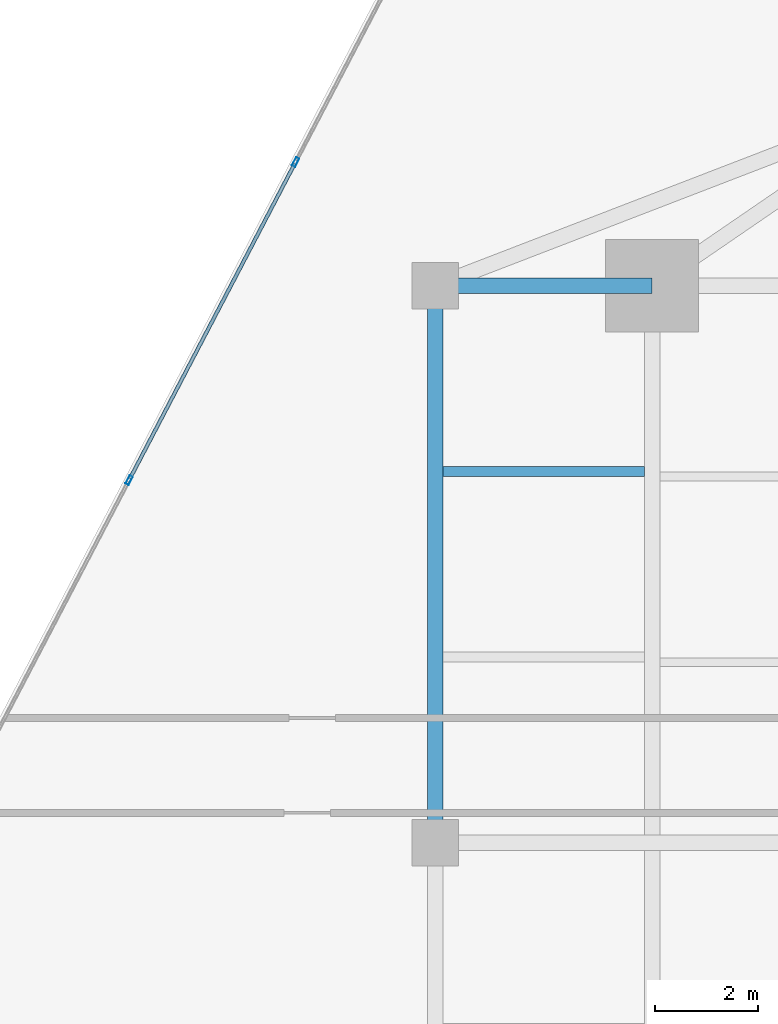
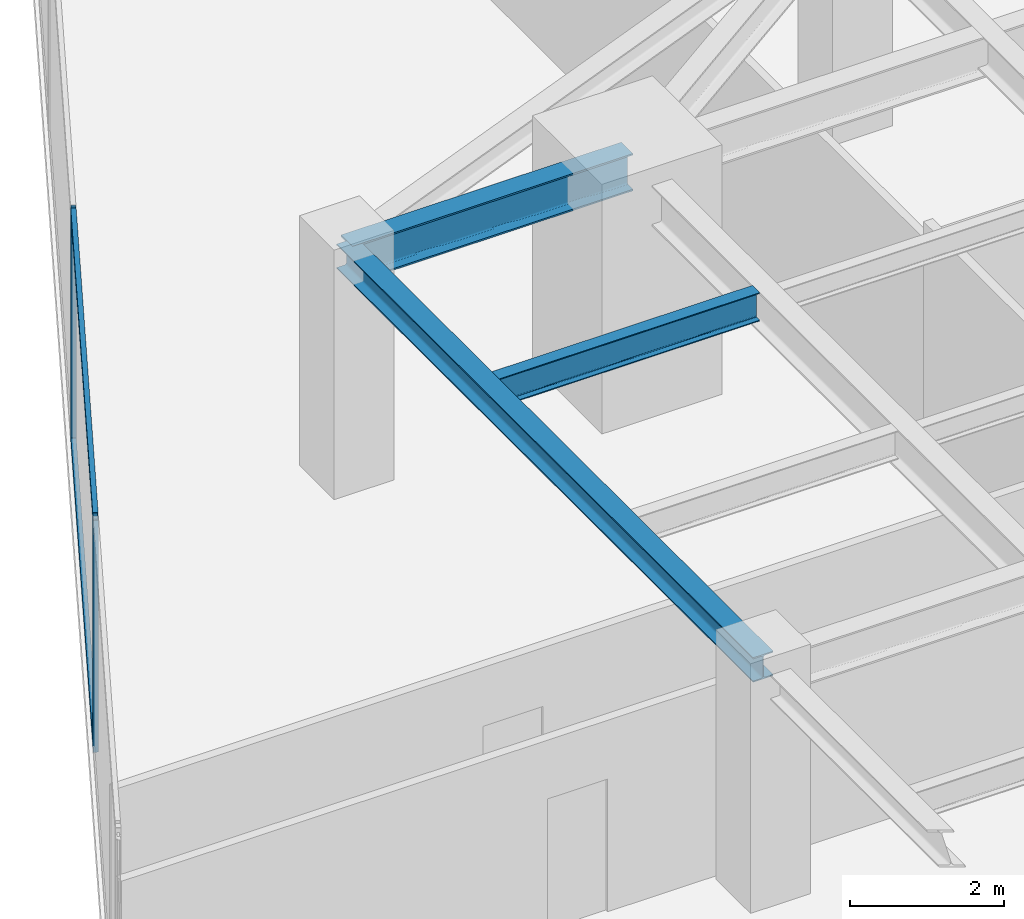
# One storey, part 13 of 27: 4 members, 3 beams, 1 element without a shape of its own.
"""IFC4 building model written with IfcOpenShell, lengths in metres."""

import ifcopenshell
import ifcopenshell.guid

model = None  # the IFC model being written
_history = None  # IfcOwnerHistory: only IFC2X3 demands one
_inside = {}  # id of a spatial element -> (the spatial element, [elements in it])
_under = {}  # id of a project, library or spatial element -> (it, [spatial elements below it])
_declared = {}  # id of a project -> (the project, [libraries it declares])
_typed = {}  # id of a type object -> (the type object, [elements of that type])
_made_of = {}  # id of a material, layer set ... -> (it, [elements and type objects made of it])


def new_model(schema):
    """Start an empty IFC model of exactly this schema.

    Asked for "IFC4X3", IfcOpenShell would pick the latest addendum, in which some entities
    have other attributes; the version numbers below select the first issue.
    IFC2X3 requires an IfcOwnerHistory on every rooted entity: one is made here for all.
    """
    global model, _history
    if schema == "IFC4X3":
        model = ifcopenshell.file(schema_version=(4, 3, 0, 0))
    else:
        model = ifcopenshell.file(schema=schema)
    _inside.clear()
    _under.clear()
    _declared.clear()
    _typed.clear()
    _made_of.clear()
    _history = None
    if model.schema == "IFC2X3":
        org = make("IfcOrganization", Name="unknown")
        user = make(
            "IfcPersonAndOrganization",
            ThePerson=make("IfcPerson", FamilyName="unknown"),
            TheOrganization=org,
        )
        app = make(
            "IfcApplication",
            ApplicationDeveloper=org,
            Version="unknown",
            ApplicationFullName="unknown",
            ApplicationIdentifier="unknown",
        )
        _history = make(
            "IfcOwnerHistory",
            OwningUser=user,
            OwningApplication=app,
            ChangeAction="ADDED",
            CreationDate=0,
        )
    return model


def make(cls, **values):
    """One entity of the class cls with the attributes given. An attribute that is None is left unset."""
    return model.create_entity(
        cls, **{name: value for name, value in values.items() if value is not None}
    )


def rooted(cls, **values):
    """An entity with a GlobalId (a new one), such as an element, a storey or a relation."""
    return make(cls, GlobalId=ifcopenshell.guid.new(), OwnerHistory=_history, **values)


def si_unit(unit_type, name, prefix=None):
    """IfcSIUnit, for example si_unit("LENGTHUNIT", "METRE", prefix="MILLI")."""
    return make("IfcSIUnit", UnitType=unit_type, Prefix=prefix, Name=name)


def assignment(units):
    """IfcUnitAssignment: the units of a project."""
    return None if units is None else make("IfcUnitAssignment", Units=units)


def point(xyz):
    """IfcCartesianPoint."""
    return None if xyz is None else make("IfcCartesianPoint", Coordinates=xyz)


def direction(xyz):
    """IfcDirection."""
    return None if xyz is None else make("IfcDirection", DirectionRatios=xyz)


def frame(location, z_axis=None, x_axis=None):
    """IfcAxis2Placement3D, a coordinate frame: its origin and axes. An axis left out is left unset."""
    return make(
        "IfcAxis2Placement3D",
        Location=point(location),
        Axis=direction(z_axis),
        RefDirection=direction(x_axis),
    )


def frame_2d(location, x_axis=None):
    """IfcAxis2Placement2D, a coordinate frame in the plane: its origin and x axis."""
    return make(
        "IfcAxis2Placement2D", Location=point(location), RefDirection=direction(x_axis)
    )


def origin():
    """The frame at (0, 0, 0) with its axes left unset."""
    return frame((0.0, 0.0, 0.0))


def origin_2d():
    """The frame at (0, 0) in the plane with its x axis left unset."""
    return frame_2d((0.0, 0.0))


def place(relative_to, where):
    """IfcLocalPlacement: puts the frame where relative to a parent placement (None: the world)."""
    return make(
        "IfcLocalPlacement", PlacementRelTo=relative_to, RelativePlacement=where
    )


def context(
    kind, dimensions, precision=None, world=None, true_north=None, identifier=None
):
    """IfcGeometricRepresentationContext, for example the 3D "Model" context."""
    return make(
        "IfcGeometricRepresentationContext",
        ContextIdentifier=identifier,
        ContextType=kind,
        CoordinateSpaceDimension=dimensions,
        Precision=precision,
        WorldCoordinateSystem=world,
        TrueNorth=true_north,
    )


def subcontext(parent, identifier, kind, view, scale=None):
    """IfcGeometricRepresentationSubContext, for example "Body" below "Model"."""
    return make(
        "IfcGeometricRepresentationSubContext",
        ContextIdentifier=identifier,
        ContextType=kind,
        ParentContext=parent,
        TargetScale=scale,
        TargetView=view,
    )


def project(units=None, contexts=None):
    """IfcProject with its units and contexts."""
    return rooted(
        "IfcProject",
        Name="project",
        RepresentationContexts=contexts,
        UnitsInContext=assignment(units),
    )


def spatial(cls, under=None, at=None, **own):
    """A site, building, storey or space (cls), placed at a placement, below another one or the project."""
    s = rooted(cls, ObjectPlacement=at, **own)
    if under is not None:
        _under.setdefault(under.id(), (under, []))[1].append(s)
    return s


def profile(cls, at=None, kind="AREA", **sizes):
    """A parametric profile (cls). Its sizes go by their IFC names, for example OverallWidth=200.0."""
    return make(cls, ProfileType=kind, Position=at, **sizes)


def hollow_rectangle(**sizes):
    """IfcRectangleHollowProfileDef."""
    return profile("IfcRectangleHollowProfileDef", **sizes)


def i_section(**sizes):
    """IfcIShapeProfileDef."""
    return profile("IfcIShapeProfileDef", **sizes)


def extrude(swept, where, along, depth):
    """IfcExtrudedAreaSolid: the profile swept, set in the frame where, extruded along a direction by depth."""
    return make(
        "IfcExtrudedAreaSolid",
        SweptArea=swept,
        Position=where,
        ExtrudedDirection=direction(along),
        Depth=depth,
    )


def shape(context_of_items, identifier, shape_type, items):
    """IfcShapeRepresentation: the items that make up one representation, for example the "Body"."""
    return make(
        "IfcShapeRepresentation",
        ContextOfItems=context_of_items,
        RepresentationIdentifier=identifier,
        RepresentationType=shape_type,
        Items=items,
    )


def source(mapping_origin, context_of_items, identifier, shape_type, items):
    """IfcRepresentationMap: a shape defined once, which mapped items show again and again."""
    return make(
        "IfcRepresentationMap",
        MappingOrigin=mapping_origin,
        MappedRepresentation=shape(context_of_items, identifier, shape_type, items),
    )


def transform(
    local_origin,
    x_axis=None,
    y_axis=None,
    z_axis=None,
    scale=None,
    scale2=None,
    scale3=None,
    uniform=True,
):
    """IfcCartesianTransformationOperator3D, or its non-uniform kind. x_axis, y_axis, z_axis: its Axis1, 2, 3."""
    if uniform:
        return make(
            "IfcCartesianTransformationOperator3D",
            Axis1=direction(x_axis),
            Axis2=direction(y_axis),
            LocalOrigin=point(local_origin),
            Scale=scale,
            Axis3=direction(z_axis),
        )
    return make(
        "IfcCartesianTransformationOperator3DnonUniform",
        Axis1=direction(x_axis),
        Axis2=direction(y_axis),
        LocalOrigin=point(local_origin),
        Scale=scale,
        Axis3=direction(z_axis),
        Scale2=scale2,
        Scale3=scale3,
    )


def mapped(mapping_source, mapping_target):
    """IfcMappedItem: shows the shape of a source again, moved by a transform."""
    return make(
        "IfcMappedItem", MappingSource=mapping_source, MappingTarget=mapping_target
    )


def material(Name=None, Category=None):
    """IfcMaterial."""
    return make("IfcMaterial", Name=Name, Category=Category)


def material_profile(
    of_material, cross_section, Name=None, Category=None, Priority=None
):
    """IfcMaterialProfile: a cross section and its material."""
    return make(
        "IfcMaterialProfile",
        Name=Name,
        Material=of_material,
        Profile=cross_section,
        Priority=Priority,
        Category=Category,
    )


def profile_set(profiles, Name=None, composite=None):
    """IfcMaterialProfileSet."""
    return make(
        "IfcMaterialProfileSet",
        Name=Name,
        MaterialProfiles=profiles,
        CompositeProfile=composite,
    )


def made_of(thing, what):
    """Note that an element or type object is made of a material, layer set ...; save() writes the relation."""
    if what is not None:
        _made_of.setdefault(what.id(), (what, []))[1].append(thing)
    return thing


def type_object(cls, material=None, **own):
    """A type object (cls), such as IfcWallType, which elements share."""
    return made_of(rooted(cls, **own), material)


def type_shapes(of_type, sources):
    """Give a type object the sources (RepresentationMaps) that its elements show as mapped items."""
    of_type.RepresentationMaps = sources


def element(
    cls,
    number,
    at=None,
    inside=None,
    cuts=None,
    type_object=None,
    material=None,
    context=None,
    identifier="Body",
    shape_type=None,
    held_by="IfcProductDefinitionShape",
    body=None,
    shapes=None,
    **own,
):
    """One element of the class cls, such as IfcWall. Its Tag is "e" and its number.

    at: its placement. inside: the storey or other place that contains it. cuts: it is an
    opening in that element (IfcRelVoidsElement). A single representation is given by context,
    identifier, shape_type and body (its items); several are given by shapes. held_by: the class
    of the entity that holds the representations. save() writes the other relations.
    """
    e = rooted(cls, Tag="e%d" % number, ObjectPlacement=at, **own)
    if body is not None:
        shapes = [shape(context, identifier, shape_type, body)]
    if shapes is not None:
        e.Representation = make(held_by, Representations=shapes)
    if inside is not None:
        _inside.setdefault(inside.id(), (inside, []))[1].append(e)
    if cuts is not None:
        rooted(
            "IfcRelVoidsElement", RelatingBuildingElement=cuts, RelatedOpeningElement=e
        )
    if type_object is not None:
        _typed.setdefault(type_object.id(), (type_object, []))[1].append(e)
    return made_of(e, material)


def aggregate(whole, parts):
    """IfcRelAggregates: a whole, such as a stair, and the parts it consists of."""
    return rooted("IfcRelAggregates", RelatingObject=whole, RelatedObjects=parts)


def save(model, path):
    """Write the relations noted so far, then the file.

    IfcRelAggregates (storeys below a building ...), IfcRelContainedInSpatialStructure (elements
    in a storey), IfcRelDefinesByType, IfcRelAssociatesMaterial and IfcRelDeclares: one each for
    every whole, place, type object, material and project.
    """
    for whole, parts in _under.values():
        aggregate(whole, parts)
    for where, things in _inside.values():
        rooted(
            "IfcRelContainedInSpatialStructure",
            RelatedElements=things,
            RelatingStructure=where,
        )
    for kind, things in _typed.values():
        rooted("IfcRelDefinesByType", RelatedObjects=things, RelatingType=kind)
    for what, things in _made_of.values():
        rooted("IfcRelAssociatesMaterial", RelatedObjects=things, RelatingMaterial=what)
    for by, libraries in _declared.values():
        rooted("IfcRelDeclares", RelatingContext=by, RelatedDefinitions=libraries)
    model.write(path)


model = new_model("IFC4")

# Units and contexts
model_context = context("Model", 3, precision=1e-05, world=origin(), true_north=direction((0.0, 1.0)))
body_context = subcontext(model_context, "Body", "Model", "MODEL_VIEW")
ifc_project = project(units=[si_unit("LENGTHUNIT", "METRE"), si_unit("AREAUNIT", "SQUARE_METRE"), si_unit("VOLUMEUNIT", "CUBIC_METRE"), si_unit("PLANEANGLEUNIT", "RADIAN"), si_unit("MASSUNIT", "GRAM", prefix="KILO")], contexts=[model_context])

# Site, building, storey
site_placement = place(None, origin())
site = spatial("IfcSite", under=ifc_project, at=site_placement, CompositionType="ELEMENT")
building_placement = place(site_placement, origin())
building = spatial("IfcBuilding", under=site, at=building_placement, Name="Krantzveldt Concourse Tower", CompositionType="ELEMENT")
storey_placement = place(building_placement, frame((0.0, 0.0, 158.050048828125)))
storey = spatial("IfcBuildingStorey", under=building, at=storey_placement, Name="L38", CompositionType="ELEMENT", Elevation=158.050048828125)

# Beams
ifc_material_1 = material(Name="Steel S355JR", Category="steel")
ifc_material_profile_1 = material_profile(ifc_material_1, i_section(OverallWidth=0.300048828125, OverallDepth=0.590087890625, WebThickness=0.012939453125, FlangeThickness=0.02490234375, FilletRadius=0.027099609375, at=origin_2d()), Name="Steel S355JR", Category="steel")
ifc_profile_set_1 = profile_set([ifc_material_profile_1], Name="Steel S355JR - HEA 600")
beam_type_1 = type_object("IfcBeamType", Name="BM-B-HEA600", PredefinedType="BEAM", material=ifc_profile_set_1)
shared_shape_1 = source(origin(), body_context, "Body", "SweptSolid", [
    extrude(i_section(OverallWidth=0.300048828125, OverallDepth=0.590087890625, WebThickness=0.012939453125, FlangeThickness=0.02490234375, FilletRadius=0.027099609375, at=origin_2d()), origin(), (0.0, 0.0, 1.0), 4.199951171875),
])
type_shapes(beam_type_1, [shared_shape_1])
beam_1_placement = place(storey_placement, frame((21.0, 37.5, 3.375), z_axis=(1.0, 0.0, 0.0), x_axis=(0.0, 1.0, 0.0)))
element("IfcBeam", 1, at=beam_1_placement, inside=storey, type_object=beam_type_1, Name="L38 Tower Girder BR-RL3", PredefinedType="BEAM", context=body_context, shape_type="MappedRepresentation", body=[
    mapped(shared_shape_1, transform((0.0, 0.0, 0.0), x_axis=(1.0, 0.0, 0.0), y_axis=(0.0, 1.0, 0.0), z_axis=(0.0, 0.0, 1.0), scale=1.0)),
])
ifc_material_profile_2 = material_profile(ifc_material_1, i_section(OverallWidth=0.300048828125, OverallDepth=0.389892578125, WebThickness=0.010986328125, FlangeThickness=0.01904296875, FilletRadius=0.027099609375, at=origin_2d()), Name="Steel S355JR", Category="steel")
ifc_profile_set_2 = profile_set([ifc_material_profile_2], Name="Steel S355JR - HEA 400")
beam_type_2 = type_object("IfcBeamType", Name="BM-SP-HEA400", PredefinedType="SPANDREL", material=ifc_profile_set_2)
shared_shape_2 = source(origin(), body_context, "Body", "SweptSolid", [
    extrude(i_section(OverallWidth=0.300048828125, OverallDepth=0.389892578125, WebThickness=0.010986328125, FlangeThickness=0.01904296875, FilletRadius=0.027099609375, at=origin_2d()), origin(), (0.0, 0.0, 1.0), 10.800048828125),
])
type_shapes(beam_type_2, [shared_shape_2])
beam_2_placement = place(storey_placement, frame((21.0, 26.699951171875, 3.474853515625), z_axis=(0.0, 1.0, 0.0), x_axis=(-1.0, 0.0, 0.0)))
element("IfcBeam", 2, at=beam_2_placement, inside=storey, type_object=beam_type_2, Name="L38 Tower Girder SP-R02", PredefinedType="SPANDREL", context=body_context, shape_type="MappedRepresentation", body=[
    mapped(shared_shape_2, transform((0.0, 0.0, 0.0), x_axis=(1.0, 0.0, 0.0), y_axis=(0.0, 1.0, 0.0), z_axis=(0.0, 0.0, 1.0), scale=1.0)),
])
ifc_material_profile_3 = material_profile(ifc_material_1, i_section(OverallWidth=0.18994140625, OverallDepth=0.449951171875, WebThickness=0.009521484375, FlangeThickness=0.0146484375, FilletRadius=0.02099609375, at=origin_2d()), Name="Steel S355JR", Category="steel")
ifc_profile_set_3 = profile_set([ifc_material_profile_3], Name="Steel S355JR - IPE 450")
beam_type_3 = type_object("IfcBeamType", Name="BM-J-IPE450", PredefinedType="JOIST", material=ifc_profile_set_3)
shared_shape_3 = source(origin(), body_context, "Body", "SweptSolid", [
    extrude(i_section(OverallWidth=0.18994140625, OverallDepth=0.449951171875, WebThickness=0.009521484375, FlangeThickness=0.0146484375, FilletRadius=0.02099609375, at=origin_2d()), origin(), (0.0, 0.0, 1.0), 3.900146484375),
])
type_shapes(beam_type_3, [shared_shape_3])
beam_3_placement = place(storey_placement, frame((21.14990234375, 33.89990234375, 3.445068359375), z_axis=(1.0, 0.0, 0.0), x_axis=(0.0, 1.0, 0.0)))
element("IfcBeam", 3, at=beam_3_placement, inside=storey, type_object=beam_type_3, Name="L38 Secondary Floor Joist JW-4", PredefinedType="JOIST", context=body_context, shape_type="MappedRepresentation", body=[
    mapped(shared_shape_3, transform((0.0, 0.0, 0.0), x_axis=(1.0, 0.0, 0.0), y_axis=(0.0, 1.0, 0.0), z_axis=(0.0, 0.0, 1.0), scale=1.0)),
])

# Curtain wall, members
ifc_material_2 = material(Name="Anodised aluminium 6063-T6", Category="aluminium")
curtain_wall_type = type_object("IfcCurtainWallType", Name="CW3", PredefinedType="USERDEFINED", material=ifc_material_2)
curtain_wall_placement = place(storey_placement, origin())
curtain_wall = element("IfcCurtainWall", 4, at=curtain_wall_placement, inside=storey, type_object=curtain_wall_type, Name="CW-L38-F01", ObjectType="UNITISED CURTAIN WALL", PredefinedType="USERDEFINED")
ifc_material_profile_4 = material_profile(ifc_material_2, hollow_rectangle(XDim=0.070068359375, YDim=0.179931640625, WallThickness=0.0048828125, at=origin_2d()), Name="Anodised aluminium 6063-T6", Category="aluminium")
ifc_profile_set_4 = profile_set([ifc_material_profile_4], Name="Anodised aluminium 6063-T6 - ALU-MULL 180x70x5")
member_type_1 = type_object("IfcMemberType", Name="CW-MUL-180", PredefinedType="MULLION", material=ifc_profile_set_4)
shared_shape_4 = source(origin(), body_context, "Body", "SweptSolid", [
    extrude(hollow_rectangle(XDim=0.070068359375, YDim=0.179931640625, WallThickness=0.0048828125, at=origin_2d()), origin(), (0.0, 0.0, 1.0), 3.669921875),
])
type_shapes(member_type_1, [shared_shape_4])
member_1_placement = place(storey_placement, frame((18.2900390625, 39.896240234375, 0.0), z_axis=(0.0, 0.0, 1.0), x_axis=(0.886001265743, -0.463682819502, 0.0)))
member_1 = element("IfcMember", 5, at=member_1_placement, type_object=member_type_1, Name="CW-Z34 mullion 3", PredefinedType="MULLION", context=body_context, shape_type="MappedRepresentation", body=[
    mapped(shared_shape_4, transform((0.0, 0.0, 0.0), x_axis=(1.0, 0.0, 0.0), y_axis=(0.0, 1.0, 0.0), z_axis=(0.0, 0.0, 1.0), scale=1.0)),
])
member_2_placement = place(storey_placement, frame((15.062744140625, 33.729736328125, 0.0), z_axis=(0.0, 0.0, 1.0), x_axis=(0.886001265743, -0.463682819502, 0.0)))
member_2 = element("IfcMember", 6, at=member_2_placement, type_object=member_type_1, Name="CW-Z34 mullion 4", PredefinedType="MULLION", context=body_context, shape_type="MappedRepresentation", body=[
    mapped(shared_shape_4, transform((0.0, 0.0, 0.0), x_axis=(1.0, 0.0, 0.0), y_axis=(0.0, 1.0, 0.0), z_axis=(0.0, 0.0, 1.0), scale=1.0)),
])
ifc_material_profile_5 = material_profile(ifc_material_2, hollow_rectangle(XDim=0.070068359375, YDim=0.139892578125, WallThickness=0.0048828125, at=origin_2d()), Name="Anodised aluminium 6063-T6", Category="aluminium")
ifc_profile_set_5 = profile_set([ifc_material_profile_5], Name="Anodised aluminium 6063-T6 - ALU-TRAN 140x70x5")
member_type_2 = type_object("IfcMemberType", Name="CW-TRN-150", PredefinedType="USERDEFINED", material=ifc_profile_set_5)
shared_shape_5 = source(origin(), body_context, "Body", "SweptSolid", [
    extrude(hollow_rectangle(XDim=0.070068359375, YDim=0.139892578125, WallThickness=0.0048828125, at=origin_2d()), origin(), (0.0, 0.0, 1.0), 6.889892578125),
])
type_shapes(member_type_2, [shared_shape_5])
member_3_placement = place(storey_placement, frame((18.273681640625, 39.865234375, 0.034912109375), z_axis=(-0.46369184059, -0.885996544559, 0.0), x_axis=(0.885996544559, -0.46369184059, 0.0)))
member_3 = element("IfcMember", 7, at=member_3_placement, type_object=member_type_2, Name="CW-Z34 transom 3.1", ObjectType="TRANSOM", PredefinedType="USERDEFINED", context=body_context, shape_type="MappedRepresentation", body=[
    mapped(shared_shape_5, transform((0.0, 0.0, 0.0), x_axis=(1.0, 0.0, 0.0), y_axis=(0.0, 1.0, 0.0), z_axis=(0.0, 0.0, 1.0), scale=1.0)),
])
member_4_placement = place(storey_placement, frame((18.273681640625, 39.865234375, 3.635009765625), z_axis=(-0.46369184059, -0.885996544559, 0.0), x_axis=(0.885996544559, -0.46369184059, 0.0)))
member_4 = element("IfcMember", 8, at=member_4_placement, type_object=member_type_2, Name="CW-Z34 transom 3.2", ObjectType="TRANSOM", PredefinedType="USERDEFINED", context=body_context, shape_type="MappedRepresentation", body=[
    mapped(shared_shape_5, transform((0.0, 0.0, 0.0), x_axis=(1.0, 0.0, 0.0), y_axis=(0.0, 1.0, 0.0), z_axis=(0.0, 0.0, 1.0), scale=1.0)),
])
aggregate(curtain_wall, [member_1, member_2, member_3, member_4])

save(model, "model.ifc")
